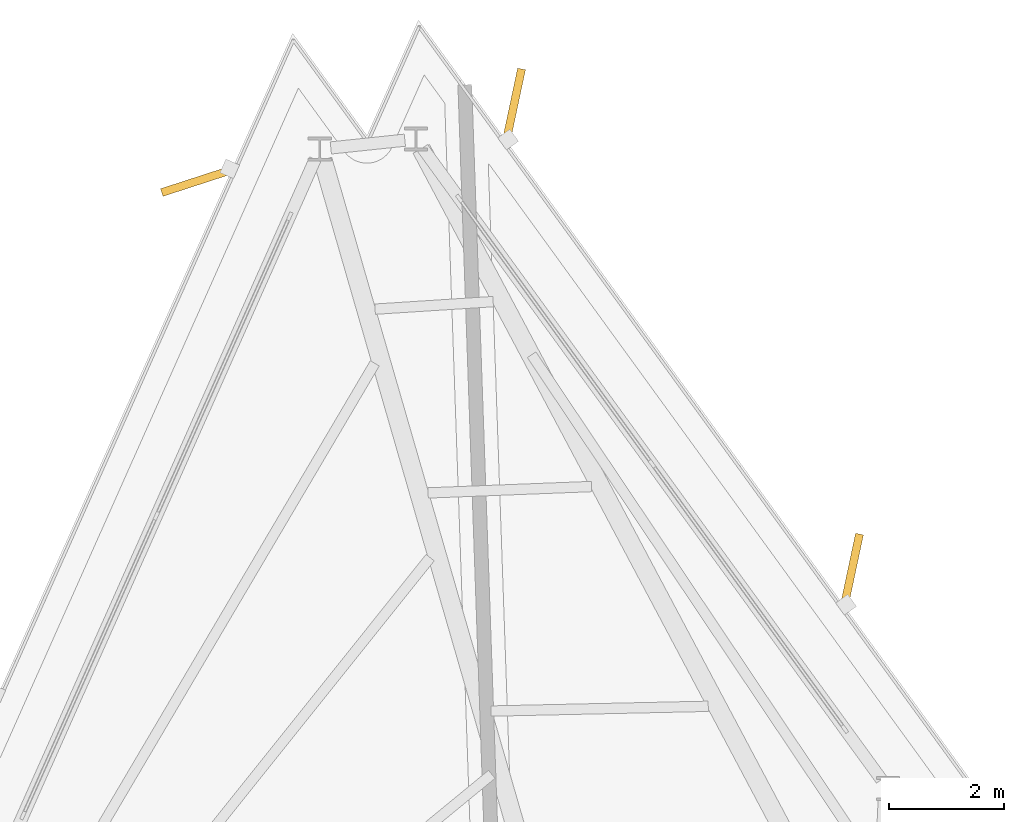
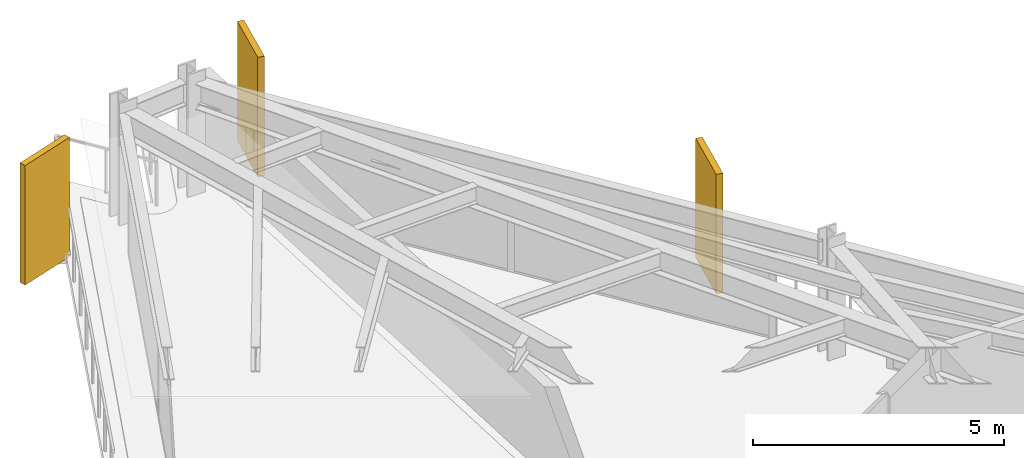
# One storey, part 13 of 13: 3 shading devices.
"""IFC4 building model written with IfcOpenShell, lengths in metres."""

from ifc_helpers import new_model, si_unit, direction, frame, origin, origin_2d, place, context, subcontext, project, spatial, rectangle, extrude, material, layer, layer_set, type_object, element, save


model = new_model("IFC4")

# Units and contexts
model_context = context("Model", 3, precision=1e-05, world=origin(), true_north=direction((0.0, 1.0)))
body_context = subcontext(model_context, "Body", "Model", "MODEL_VIEW")
ifc_project = project(units=[si_unit("LENGTHUNIT", "METRE"), si_unit("AREAUNIT", "SQUARE_METRE"), si_unit("VOLUMEUNIT", "CUBIC_METRE"), si_unit("PLANEANGLEUNIT", "RADIAN"), si_unit("MASSUNIT", "GRAM", prefix="KILO")], contexts=[model_context])

# Site, building, storey
site_placement = place(None, origin())
site = spatial("IfcSite", under=ifc_project, at=site_placement, CompositionType="ELEMENT")
building_placement = place(site_placement, origin())
building = spatial("IfcBuilding", under=site, at=building_placement, Name="Rocaltana Carrier Exchange", CompositionType="ELEMENT")
storey_placement = place(building_placement, frame((0.0, 0.0, 119.840087890625)))
storey = spatial("IfcBuildingStorey", under=building, at=storey_placement, Name="L37", CompositionType="ELEMENT", Elevation=119.840087890625)

# Shading devices
ifc_material = material(Name="Honed Bogota Sandstone & Concrete C45/55", Category="masonry")
ifc_layer = layer(ifc_material, 0.139892578125)
ifc_layer_set = layer_set([ifc_layer], Name="Honed Bogota Sandstone & Concrete C45/55")
shading_device_type = type_object("IfcShadingDeviceType", Name="Vertical Sandstone Shading Fin 1320x140", PredefinedType="USERDEFINED", material=ifc_layer_set)
for number, where, z_axis, x_axis, name in (
    (1, (5.834716796875, 17.11279296875, -0.1201171875), (0.0, 0.0, 1.0), (0.207911690818, 0.978147600734, 0.0), "L37 Sandstone Vertical Fin F1-04"),
    (2, (-0.043212890625, 25.202880859375, -0.1201171875), (0.0, 0.0, 1.0), (0.207911690818, 0.978147600734, 0.0), "L37 Sandstone Vertical Fin F1-05"),
    (3, (-5.535400390625, 23.903076171875, -0.1201171875), (0.0, 0.0, 1.0), (-0.951056516295, -0.309016994375, 0.0), "L37 Sandstone Vertical Fin F2-01"),
):
    element("IfcShadingDevice", number, at=place(storey_placement, frame(where, z_axis=z_axis, x_axis=x_axis)), inside=storey, type_object=shading_device_type, Name=name, ObjectType="FIN", PredefinedType="USERDEFINED", context=body_context, shape_type="SweptSolid", body=[
        extrude(rectangle(XDim=1.320068359375, YDim=0.139892578125, at=origin_2d()), origin(), (0.0, 0.0, 1.0), 2.907958984375),
    ])

save(model, "model.ifc")
